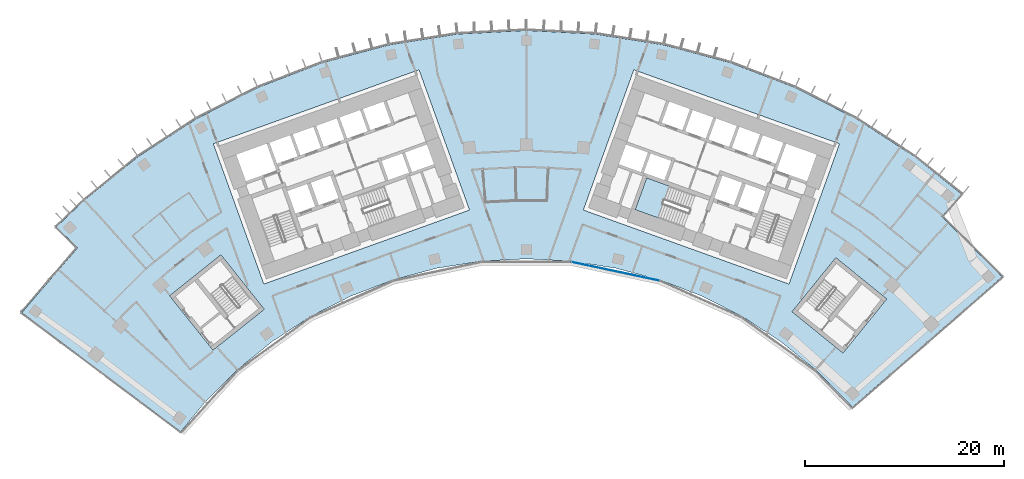
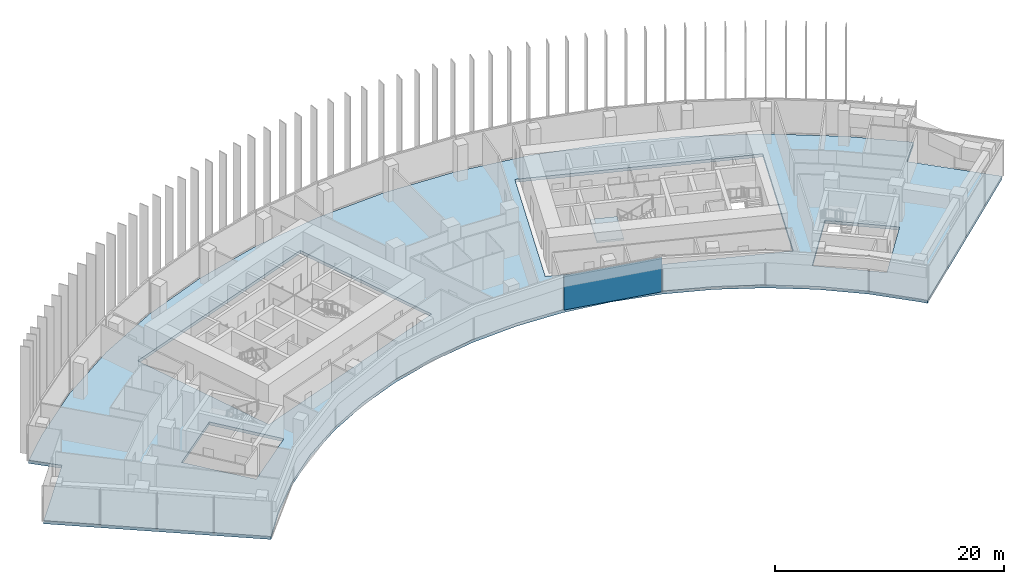
# One storey, part 13 of 23: 2 slabs, 1 plate, 2 elements without a shape of their own.
"""IFC4 building model written with IfcOpenShell, lengths in metres."""

from ifc_helpers import new_model, si_unit, direction, frame, origin, origin_2d, place, context, subcontext, project, spatial, polyline, rectangle, outline, extrude, material, layer, layer_set, type_object, element, aggregate, save


model = new_model("IFC4")

# Units and contexts
model_context = context("Model", 3, precision=1e-05, world=origin(), true_north=direction((0.0, 1.0)))
body_context = subcontext(model_context, "Body", "Model", "MODEL_VIEW")
ifc_project = project(units=[si_unit("LENGTHUNIT", "METRE"), si_unit("AREAUNIT", "SQUARE_METRE"), si_unit("VOLUMEUNIT", "CUBIC_METRE"), si_unit("PLANEANGLEUNIT", "RADIAN"), si_unit("MASSUNIT", "GRAM", prefix="KILO")], contexts=[model_context])

# Site, building, storey
site_placement = place(None, origin())
site = spatial("IfcSite", under=ifc_project, at=site_placement, CompositionType="ELEMENT")
building_placement = place(site_placement, origin())
building = spatial("IfcBuilding", under=site, at=building_placement, Name="Stone Belt Terrace Tower", CompositionType="ELEMENT")
storey_placement = place(building_placement, frame((0.0, 0.0, 178.199951171875)))
storey = spatial("IfcBuildingStorey", under=building, at=storey_placement, Name="L43", CompositionType="ELEMENT", Elevation=178.199951171875)

# Curtain wall, plate
ifc_material_1 = material(Name="Aluminium 6063-T6 anodised frame", Category="aluminium")
ifc_layer_1 = layer(ifc_material_1, 0.14990234375)
ifc_layer_set_1 = layer_set([ifc_layer_1], Name="CW-B unitised concave-face curtain wall")
curtain_wall_type = type_object("IfcCurtainWallType", Name="CW-B unitised concave-face curtain wall", PredefinedType="NOTDEFINED", material=ifc_layer_set_1)
curtain_wall_placement = place(storey_placement, origin())
curtain_wall = element("IfcCurtainWall", 1, at=curtain_wall_placement, inside=storey, type_object=curtain_wall_type, Name="CW-B concave face L43", PredefinedType="NOTDEFINED")
ifc_material_2 = material(Name="Clear double glazed unit")
ifc_layer_2 = layer(ifc_material_2, 0.030029296875)
ifc_layer_set_2 = layer_set([ifc_layer_2], Name="CW-B glass panel 30")
plate_type = type_object("IfcPlateType", Name="CW-B glass panel 30", PredefinedType="CURTAIN_PANEL", material=ifc_layer_set_2)
plate_placement = place(storey_placement, frame((8.97900390625, 42.242919921875, 0.0), z_axis=(0.0, 0.0, 1.0), x_axis=(0.978147600734, -0.207911690818, 0.0)))
plate = element("IfcPlate", 2, at=plate_placement, type_object=plate_type, Name="CW-B panel 6.1", PredefinedType="CURTAIN_PANEL", context=body_context, shape_type="SweptSolid", body=[
    extrude(rectangle(XDim=9.0126953125, YDim=0.030029296875, at=origin_2d()), origin(), (0.0, 0.0, 1.0), 3.679931640625),
])
aggregate(curtain_wall, [plate])

# Slab
ifc_material_3 = material(Name="Concrete B40", Category="concrete")
ifc_layer_3 = layer(ifc_material_3, 0.320068359375)
ifc_layer_set_3 = layer_set([ifc_layer_3], Name="Floor slab 320 B40")
slab_type_1 = type_object("IfcSlabType", Name="Floor slab 320 B40", PredefinedType="FLOOR", material=ifc_layer_set_3)
slab_1_placement = place(storey_placement, frame((0.0, 0.0, -0.320068359375)))
element("IfcSlab", 3, at=slab_1_placement, inside=storey, type_object=slab_type_1, Name="Floor slab L43", PredefinedType="FLOOR", context=body_context, shape_type="SweptSolid", body=[
    extrude(outline(polyline([(-44.497314453125, 49.419189453125), (-39.087646484375, 53.799560546875), (-33.25, 57.5908203125), (-27.048095703125, 60.750732421875), (-20.549560546875, 63.245361328125), (-13.826171875, 65.046875), (-6.951171875, 66.1357421875), (0.0, 66.5), (6.951171875, 66.1357421875), (13.826171875, 65.046875), (20.549560546875, 63.245361328125), (27.048095703125, 60.750732421875), (33.25, 57.5908203125), (39.087646484375, 53.799560546875), (43.809326171875, 50.02978515625), (41.8330078125, 47.772705078125), (47.896240234375, 41.691650390625), (32.810791015625, 28.560302734375), (32.326904296875, 29.107177734375), (29.107177734375, 32.326904296875), (25.568603515625, 35.192138671875), (21.75, 37.672119140625), (17.693115234375, 39.7392578125), (13.442138671875, 41.37109375), (9.044189453125, 42.54931640625), (4.547119140625, 43.26171875), (0.0, 43.5), (-4.547119140625, 43.26171875), (-9.044189453125, 42.54931640625), (-13.442138671875, 41.37109375), (-17.693115234375, 39.7392578125), (-21.75, 37.672119140625), (-25.568603515625, 35.192138671875), (-29.107177734375, 32.326904296875), (-32.326904296875, 29.107177734375), (-34.79931640625, 26.100830078125), (-50.799072265625, 38.10107421875), (-45.19384765625, 44.606689453125), (-47.328857421875, 46.714111328125), (-44.497314453125, 49.419189453125)]), holes=[polyline([(-26.434814453125, 40.968994140625), (-5.734619140625, 48.418701171875), (-10.81396484375, 62.532470703125), (-31.51416015625, 55.082763671875), (-26.434814453125, 40.968994140625)]), polyline([(10.81396484375, 62.532470703125), (5.734619140625, 48.418701171875), (26.434814453125, 40.968994140625), (31.51416015625, 55.082763671875), (10.81396484375, 62.532470703125)]), polyline([(-35.91796875, 39.787353515625), (-31.55615234375, 34.3125), (-26.39404296875, 38.425048828125), (-30.756103515625, 43.89990234375), (-35.91796875, 39.787353515625)]), polyline([(36.2783203125, 39.459228515625), (31.15380859375, 43.61865234375), (26.742431640625, 38.18359375), (31.86669921875, 34.024169921875), (36.2783203125, 39.459228515625)])]), origin(), (0.0, 0.0, 1.0), 0.320068359375),
])

# Stair, slab
stair_type = type_object("IfcStairType", Name="Exit stair 1500", PredefinedType="HALF_TURN_STAIR", material=ifc_material_3)
stair_placement = place(storey_placement, origin())
stair = element("IfcStair", 4, at=stair_placement, inside=storey, type_object=stair_type, Name="L43 Exit stair 2 core B", PredefinedType="HALF_TURN_STAIR")
ifc_layer_4 = layer(ifc_material_3, 0.199951171875)
ifc_layer_set_4 = layer_set([ifc_layer_4], Name="Stair landing 200")
slab_type_2 = type_object("IfcSlabType", Name="Stair landing 200", PredefinedType="LANDING", material=ifc_layer_set_4)
slab_2_placement = place(storey_placement, frame((0.0, 0.0, 1.699951171875)))
slab_2 = element("IfcSlab", 5, at=slab_2_placement, type_object=slab_type_2, Name="ST2B landing 1", PredefinedType="LANDING", context=body_context, shape_type="SweptSolid", body=[
    extrude(outline(polyline([(14.36474609375, 50.839111328125), (12.10595703125, 51.652099609375), (10.95458984375, 48.453125), (13.213623046875, 47.64013671875), (14.36474609375, 50.839111328125)])), origin(), (0.0, 0.0, 1.0), 0.2001953125),
])
aggregate(stair, [slab_2])

save(model, "model.ifc")
